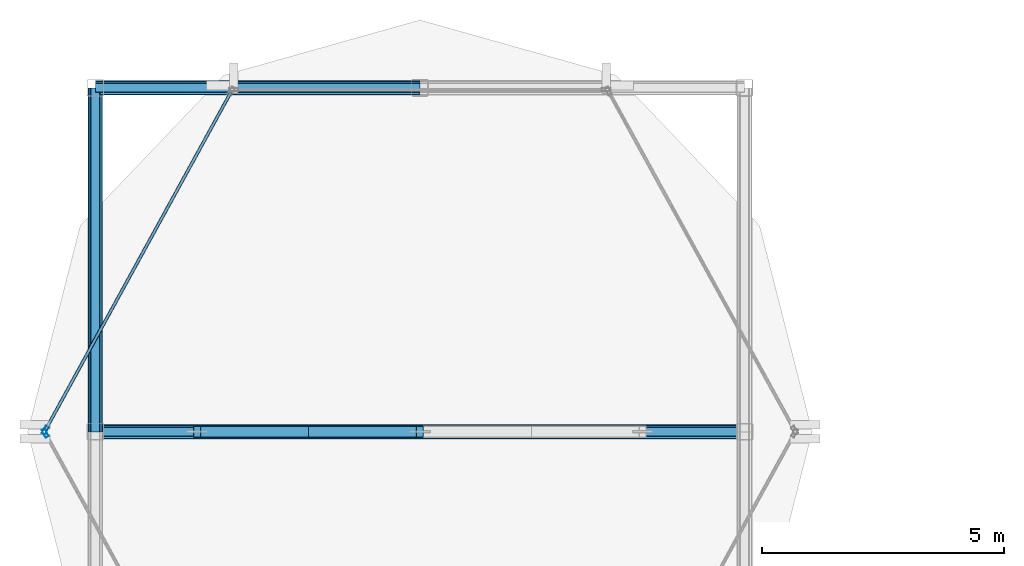
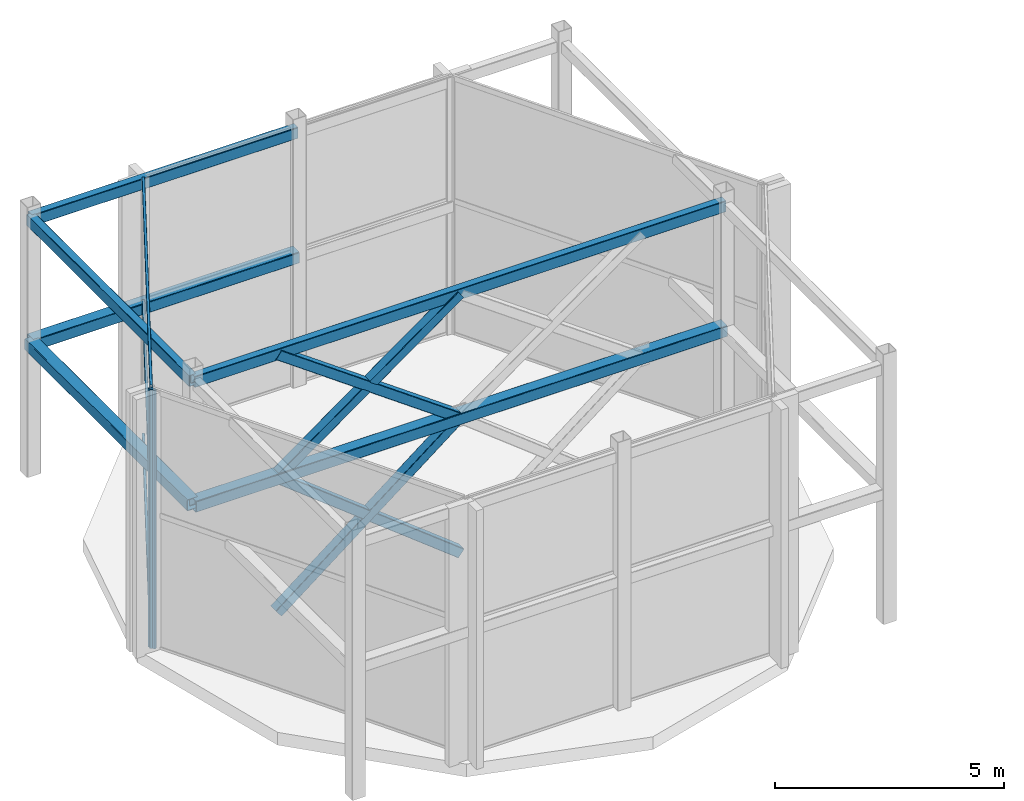
# One storey, part 4 of 8: 9 members, 6 beams, 2 elements without a shape of their own.
"""IFC4 building model written with IfcOpenShell, lengths in metres."""

from ifc_helpers import new_model, si_unit, direction, frame, origin, origin_2d, place, context, subcontext, project, spatial, hollow_rectangle, extrude, material, layer, layer_set, material_profile, profile_set, type_object, element, aggregate, save


model = new_model("IFC4")

# Units and contexts
model_context = context("Model", 3, precision=1e-05, world=origin(), true_north=direction((0.0, 1.0)))
body_context = subcontext(model_context, "Body", "Model", "MODEL_VIEW")
ifc_project = project(units=[si_unit("LENGTHUNIT", "METRE"), si_unit("AREAUNIT", "SQUARE_METRE"), si_unit("VOLUMEUNIT", "CUBIC_METRE"), si_unit("PLANEANGLEUNIT", "RADIAN"), si_unit("MASSUNIT", "GRAM", prefix="KILO")], contexts=[model_context])

# Site, building, storey
site_placement = place(None, origin())
site = spatial("IfcSite", under=ifc_project, at=site_placement, CompositionType="ELEMENT")
building_placement = place(site_placement, origin())
building = spatial("IfcBuilding", under=site, at=building_placement, Name="Solvaryn Broadcast Tower", CompositionType="ELEMENT")
storey_placement = place(building_placement, frame((0.0, 0.0, 322.199951171875)))
storey = spatial("IfcBuildingStorey", under=building, at=storey_placement, Name="Roof East", CompositionType="ELEMENT", Elevation=322.199951171875)

# Beams
ifc_material_1 = material(Name="Steel ASTM A500 Grade C", Category="steel")
ifc_material_profile_1 = material_profile(ifc_material_1, hollow_rectangle(XDim=0.199951171875, YDim=0.300048828125, WallThickness=0.011962890625, InnerFilletRadius=0.011962890625, OuterFilletRadius=0.02392578125, at=origin_2d()))
ifc_profile_set_1 = profile_set([ifc_material_profile_1], Name="Steel ASTM A500 Grade C")
beam_type_1 = type_object("IfcBeamType", Name="BM-CROWN-CAP", PredefinedType="BEAM", material=ifc_profile_set_1)
beam_1_placement = place(storey_placement, frame((17.89990234375, 42.39990234375, 6.75), z_axis=(-1.0, 0.0, 0.0), x_axis=(0.0, -1.0, 0.0)))
element("IfcBeam", 1, at=beam_1_placement, inside=storey, type_object=beam_type_1, Name="Roof East CROWN FRAME Ring Beam WT2-6", PredefinedType="BEAM", context=body_context, shape_type="SweptSolid", body=[
    extrude(hollow_rectangle(XDim=0.199951171875, YDim=0.300048828125, WallThickness=0.011962890625, InnerFilletRadius=0.011962890625, OuterFilletRadius=0.02392578125, at=origin_2d()), origin(), (0.0, 0.0, 1.0), 6.699951171875),
])
beam_2_placement = place(storey_placement, frame((11.199951171875, 42.39990234375, 6.75), z_axis=(0.0, -1.0, 0.0), x_axis=(1.0, 0.0, 0.0)))
element("IfcBeam", 2, at=beam_2_placement, inside=storey, type_object=beam_type_1, Name="Roof East CROWN FRAME Ring Beam WT2-7", PredefinedType="BEAM", context=body_context, shape_type="SweptSolid", body=[
    extrude(hollow_rectangle(XDim=0.199951171875, YDim=0.300048828125, WallThickness=0.011962890625, InnerFilletRadius=0.011962890625, OuterFilletRadius=0.02392578125, at=origin_2d()), origin(), (0.0, 0.0, 1.0), 7.099853515625),
])
beam_3_placement = place(storey_placement, frame((11.199951171875, 35.300048828125, 6.75), z_axis=(1.0, 0.0, 0.0), x_axis=(0.0, 1.0, 0.0)))
element("IfcBeam", 3, at=beam_3_placement, inside=storey, type_object=beam_type_1, Name="Roof East CROWN FRAME Ring Beam WT2-9", PredefinedType="BEAM", context=body_context, shape_type="SweptSolid", body=[
    extrude(hollow_rectangle(XDim=0.199951171875, YDim=0.300048828125, WallThickness=0.011962890625, InnerFilletRadius=0.011962890625, OuterFilletRadius=0.02392578125, at=origin_2d()), origin(), (0.0, 0.0, 1.0), 13.400146484375),
])
ifc_material_2 = material(Name="Steel ASTM A500 Grade C", Category="steel")
ifc_material_profile_2 = material_profile(ifc_material_2, hollow_rectangle(XDim=0.300048828125, YDim=0.300048828125, WallThickness=0.01416015625, InnerFilletRadius=0.01416015625, OuterFilletRadius=0.0283203125, at=origin_2d()))
ifc_profile_set_2 = profile_set([ifc_material_profile_2], Name="Steel ASTM A500 Grade C")
beam_type_2 = type_object("IfcBeamType", Name="BM-CROWN-RING", PredefinedType="BEAM", material=ifc_profile_set_2)
beam_4_placement = place(storey_placement, frame((17.89990234375, 42.39990234375, 3.449951171875), z_axis=(-1.0, 0.0, 0.0), x_axis=(0.0, -1.0, 0.0)))
element("IfcBeam", 4, at=beam_4_placement, inside=storey, type_object=beam_type_2, Name="Roof East CROWN FRAME Ring Beam WT1-6", PredefinedType="BEAM", context=body_context, shape_type="SweptSolid", body=[
    extrude(hollow_rectangle(XDim=0.300048828125, YDim=0.300048828125, WallThickness=0.01416015625, InnerFilletRadius=0.01416015625, OuterFilletRadius=0.0283203125, at=origin_2d()), origin(), (0.0, 0.0, 1.0), 6.699951171875),
])
beam_5_placement = place(storey_placement, frame((11.199951171875, 42.39990234375, 3.449951171875), z_axis=(0.0, -1.0, 0.0), x_axis=(1.0, 0.0, 0.0)))
element("IfcBeam", 5, at=beam_5_placement, inside=storey, type_object=beam_type_2, Name="Roof East CROWN FRAME Ring Beam WT1-7", PredefinedType="BEAM", context=body_context, shape_type="SweptSolid", body=[
    extrude(hollow_rectangle(XDim=0.300048828125, YDim=0.300048828125, WallThickness=0.01416015625, InnerFilletRadius=0.01416015625, OuterFilletRadius=0.0283203125, at=origin_2d()), origin(), (0.0, 0.0, 1.0), 7.099853515625),
])
beam_6_placement = place(storey_placement, frame((11.199951171875, 35.300048828125, 3.449951171875), z_axis=(1.0, 0.0, 0.0), x_axis=(0.0, 1.0, 0.0)))
element("IfcBeam", 6, at=beam_6_placement, inside=storey, type_object=beam_type_2, Name="Roof East CROWN FRAME Ring Beam WT1-9", PredefinedType="BEAM", context=body_context, shape_type="SweptSolid", body=[
    extrude(hollow_rectangle(XDim=0.300048828125, YDim=0.300048828125, WallThickness=0.01416015625, InnerFilletRadius=0.01416015625, OuterFilletRadius=0.0283203125, at=origin_2d()), origin(), (0.0, 0.0, 1.0), 13.400146484375),
])

# Curtain wall, member
ifc_material_3 = material(Name="Aluminium and Terracotta Unitised Curtain Wall", Category="masonry")
ifc_layer = layer(ifc_material_3, 0.2099609375)
ifc_layer_set = layer_set([ifc_layer], Name="CW-SYS6-CROWN")
curtain_wall_type = type_object("IfcCurtainWallType", Name="CW-SYS6-CROWN", PredefinedType="NOTDEFINED", material=ifc_layer_set)
curtain_wall_1_placement = place(storey_placement, origin())
curtain_wall_1 = element("IfcCurtainWall", 7, at=curtain_wall_1_placement, inside=storey, type_object=curtain_wall_type, Name="Roof East Split-Top Crown Curtain Wall W3", PredefinedType="NOTDEFINED")
ifc_material_4 = material(Name="Anodised Aluminium 6063-T6", Category="aluminium")
ifc_material_profile_3 = material_profile(ifc_material_4, hollow_rectangle(XDim=0.074951171875, YDim=0.179931640625, WallThickness=0.00390625, InnerFilletRadius=0.00390625, OuterFilletRadius=0.008056640625, at=origin_2d()))
ifc_profile_set_3 = profile_set([ifc_material_profile_3], Name="Anodised Aluminium 6063-T6")
member_type_1 = type_object("IfcMemberType", Name="CW-MUL-180", PredefinedType="MULLION", material=ifc_profile_set_3)
member_1_placement = place(storey_placement, frame((10.16455078125, 35.326416015625, 0.0), z_axis=(0.0, 0.0, 1.0), x_axis=(0.876577523452, -0.481260683391, 0.0)))
member_1 = element("IfcMember", 8, at=member_1_placement, type_object=member_type_1, Name="CWS6 mullion 2", PredefinedType="MULLION", context=body_context, shape_type="SweptSolid", body=[
    extrude(hollow_rectangle(XDim=0.074951171875, YDim=0.179931640625, WallThickness=0.00390625, InnerFilletRadius=0.00390625, OuterFilletRadius=0.008056640625, at=origin_2d()), origin(), (0.0, 0.0, 1.0), 6.900146484375),
])

curtain_wall_2_placement = place(storey_placement, origin())
curtain_wall_2 = element("IfcCurtainWall", 9, at=curtain_wall_2_placement, inside=storey, type_object=curtain_wall_type, Name="Roof East Split-Top Crown Curtain Wall W4", PredefinedType="NOTDEFINED")
member_2_placement = place(storey_placement, frame((10.16455078125, 35.273681640625, 0.0), z_axis=(0.0, 0.0, 1.0), x_axis=(0.876577523452, 0.481260683391, 0.0)))
member_2 = element("IfcMember", 10, at=member_2_placement, type_object=member_type_1, Name="CWS6 mullion 1", PredefinedType="MULLION", context=body_context, shape_type="SweptSolid", body=[
    extrude(hollow_rectangle(XDim=0.074951171875, YDim=0.179931640625, WallThickness=0.00390625, InnerFilletRadius=0.00390625, OuterFilletRadius=0.008056640625, at=origin_2d()), origin(), (0.0, 0.0, 1.0), 6.900146484375),
])
aggregate(curtain_wall_2, [member_2])

# Member
ifc_material_5 = material(Name="Anodised Aluminium 6063-T6", Category="aluminium")
ifc_material_profile_4 = material_profile(ifc_material_5, hollow_rectangle(XDim=0.06494140625, YDim=0.14990234375, WallThickness=0.00390625, InnerFilletRadius=0.00390625, OuterFilletRadius=0.008056640625, at=origin_2d()))
ifc_profile_set_4 = profile_set([ifc_material_profile_4], Name="Anodised Aluminium 6063-T6")
member_type_2 = type_object("IfcMemberType", Name="CW-TRN-150", PredefinedType="USERDEFINED", material=ifc_profile_set_4)
member_3_placement = place(storey_placement, frame((13.99609375, 42.305419921875, 0.030029296875), z_axis=(-0.481246290978, -0.876585425056, 0.0), x_axis=(0.876585425056, -0.481246290978, 0.0)))
member_3 = element("IfcMember", 11, at=member_3_placement, type_object=member_type_2, Name="CWS6 transom 1.1", ObjectType="TRANSOM", PredefinedType="USERDEFINED", context=body_context, shape_type="SweptSolid", body=[
    extrude(hollow_rectangle(XDim=0.06494140625, YDim=0.14990234375, WallThickness=0.00390625, InnerFilletRadius=0.00390625, OuterFilletRadius=0.008056640625, at=origin_2d()), origin(), (0.0, 0.0, 1.0), 7.931884765625),
])

member_4_placement = place(storey_placement, frame((13.99609375, 42.305419921875, 3.60009765625), z_axis=(-0.481246290978, -0.876585425056, 0.0), x_axis=(0.876585425056, -0.481246290978, 0.0)))
member_4 = element("IfcMember", 12, at=member_4_placement, type_object=member_type_2, Name="CWS6 transom 1.2", ObjectType="TRANSOM", PredefinedType="USERDEFINED", context=body_context, shape_type="SweptSolid", body=[
    extrude(hollow_rectangle(XDim=0.06494140625, YDim=0.14990234375, WallThickness=0.00390625, InnerFilletRadius=0.00390625, OuterFilletRadius=0.008056640625, at=origin_2d()), origin(), (0.0, 0.0, 1.0), 7.931884765625),
])

member_5_placement = place(storey_placement, frame((13.99609375, 42.305419921875, 6.8701171875), z_axis=(-0.481246290978, -0.876585425056, 0.0), x_axis=(0.876585425056, -0.481246290978, 0.0)))
member_5 = element("IfcMember", 13, at=member_5_placement, type_object=member_type_2, Name="CWS6 transom 1.3", ObjectType="TRANSOM", PredefinedType="USERDEFINED", context=body_context, shape_type="SweptSolid", body=[
    extrude(hollow_rectangle(XDim=0.06494140625, YDim=0.14990234375, WallThickness=0.00390625, InnerFilletRadius=0.00390625, OuterFilletRadius=0.008056640625, at=origin_2d()), origin(), (0.0, 0.0, 1.0), 7.931884765625),
])

aggregate(curtain_wall_1, [member_1, member_3, member_4, member_5])

# Members
ifc_material_6 = material(Name="Steel ASTM A500 Grade C", Category="steel")
ifc_material_profile_5 = material_profile(ifc_material_6, hollow_rectangle(XDim=0.25, YDim=0.25, WallThickness=0.011962890625, InnerFilletRadius=0.011962890625, OuterFilletRadius=0.02392578125, at=origin_2d()))
ifc_profile_set_5 = profile_set([ifc_material_profile_5], Name="Steel ASTM A500 Grade C")
member_type_3 = type_object("IfcMemberType", Name="MB-CROWN-BRACE", PredefinedType="BRACE", material=ifc_profile_set_5)
for number, where, z_axis, x_axis, name in (
    (14, (13.300048828125, 35.300048828125, -0.14990234375), (0.787507647035, 0.0, 0.616304880608), (0.0, 1.0, 0.0), "Roof East CROWN FRAME Brace WT1-1"),
    (15, (17.89990234375, 35.300048828125, -0.14990234375), (-0.787507647035, 0.0, 0.616304880608), (0.0, -1.0, 0.0), "Roof East CROWN FRAME Brace WT1-3"),
):
    element("IfcMember", number, at=place(storey_placement, frame(where, z_axis=z_axis, x_axis=x_axis)), inside=storey, type_object=member_type_3, Name=name, PredefinedType="BRACE", context=body_context, shape_type="SweptSolid", body=[
        extrude(hollow_rectangle(XDim=0.25, YDim=0.25, WallThickness=0.011962890625, InnerFilletRadius=0.011962890625, OuterFilletRadius=0.02392578125, at=origin_2d()), origin(), (0.0, 0.0, 1.0), 5.841064453125),
    ])
for number, where, z_axis, x_axis, name in (
    (16, (13.300048828125, 35.300048828125, 3.449951171875), (0.812525373366, 0.0, 0.582925825158), (0.0, 1.0, 0.0), "Roof East CROWN FRAME Brace WT2-1"),
    (17, (17.89990234375, 35.300048828125, 3.449951171875), (-0.812525373366, 0.0, 0.582925825158), (0.0, -1.0, 0.0), "Roof East CROWN FRAME Brace WT2-3"),
):
    element("IfcMember", number, at=place(storey_placement, frame(where, z_axis=z_axis, x_axis=x_axis)), inside=storey, type_object=member_type_3, Name=name, PredefinedType="BRACE", context=body_context, shape_type="SweptSolid", body=[
        extrude(hollow_rectangle(XDim=0.25, YDim=0.25, WallThickness=0.011962890625, InnerFilletRadius=0.011962890625, OuterFilletRadius=0.02392578125, at=origin_2d()), origin(), (0.0, 0.0, 1.0), 5.6611328125),
    ])

save(model, "model.ifc")
